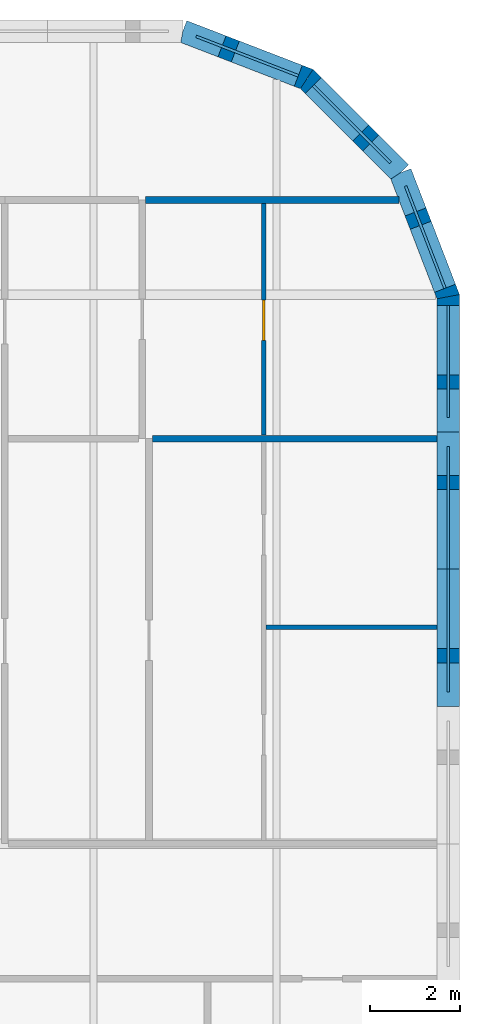
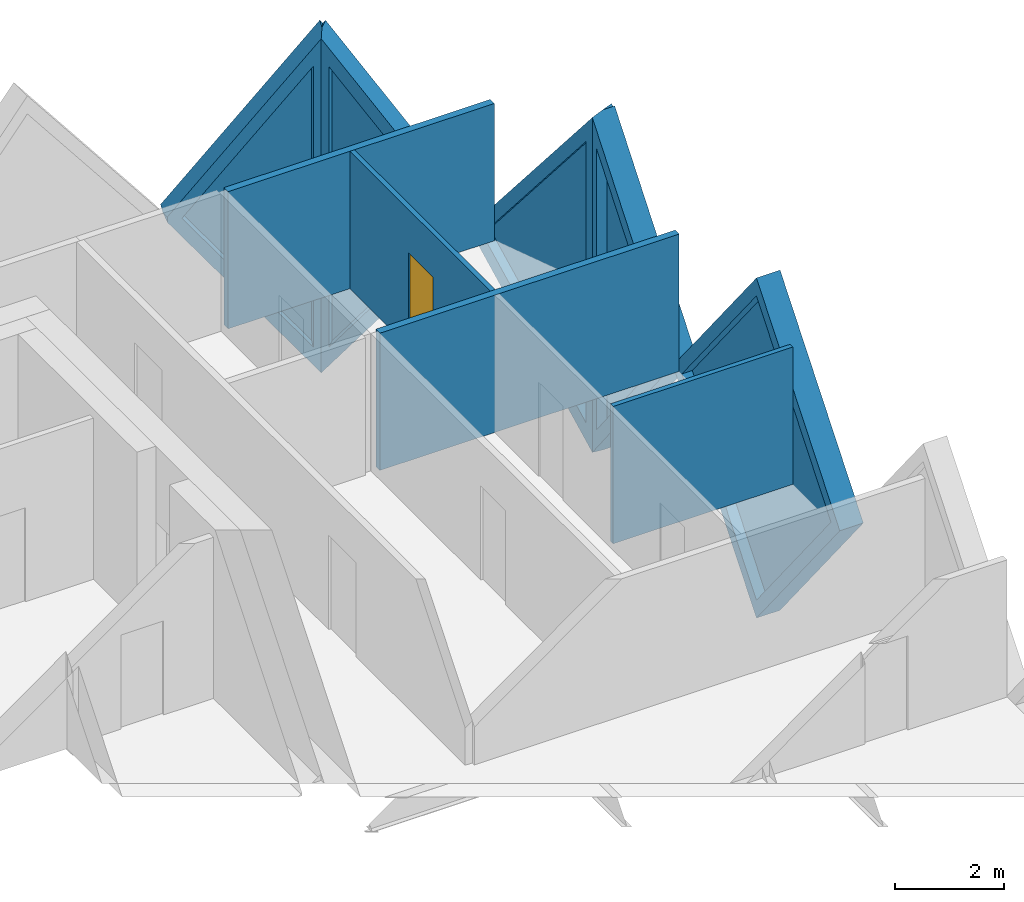
# One storey, part 16 of 19: 9 walls, 5 plates, 1 door, 6 openings.
"""IFC4 building model written with IfcOpenShell, lengths in metres."""

from ifc_helpers import new_model, si_unit, direction, frame, frame_2d, origin, place, context, subcontext, project, spatial, polyline, rectangle, outline, extrude, faceted_brep, source, transform, mapped, material, layer, layer_set, type_object, element, fill, save


model = new_model("IFC4")

# Units and contexts
model_context = context("Model", 3, precision=1e-05, world=origin(), true_north=direction((0.0, 1.0)))
body_context = subcontext(model_context, "Body", "Model", "MODEL_VIEW")
ifc_project = project(units=[si_unit("LENGTHUNIT", "METRE"), si_unit("AREAUNIT", "SQUARE_METRE"), si_unit("VOLUMEUNIT", "CUBIC_METRE"), si_unit("PLANEANGLEUNIT", "RADIAN"), si_unit("MASSUNIT", "GRAM", prefix="KILO")], contexts=[model_context])

# Site, building, storey
site_placement = place(None, origin())
site = spatial("IfcSite", under=ifc_project, at=site_placement, CompositionType="ELEMENT")
building_placement = place(site_placement, origin())
building = spatial("IfcBuilding", under=site, at=building_placement, Name="Tessera Gate Towers", CompositionType="ELEMENT")
storey_placement = place(building_placement, frame((0.0, 0.0, 87.60009765625)))
storey = spatial("IfcBuildingStorey", under=building, at=storey_placement, Name="L21", CompositionType="ELEMENT", Elevation=87.60009765625)

# Wall
ifc_material_1 = material(Name="Gypsum board on steel studs", Category="steel")
ifc_layer_1 = layer(ifc_material_1, 0.10009765625)
ifc_layer_set_1 = layer_set([ifc_layer_1], Name="PARTITION 100")
wall_type_1 = type_object("IfcWallType", Name="PARTITION 100", PredefinedType="PARTITIONING", material=ifc_layer_set_1)
wall_1_placement = place(storey_placement, frame((129.90087890625, 41.4150390625, 0.0), z_axis=(0.0, 0.0, 1.0), x_axis=(1.0, 0.0, 0.0)))
element("IfcWall", 1, at=wall_1_placement, inside=storey, type_object=wall_type_1, Name="T2-L21-PW-030", PredefinedType="PARTITIONING", context=body_context, shape_type="SweptSolid", body=[
    extrude(rectangle(XDim=3.799072265625, YDim=0.10009765625, at=frame_2d((1.8994140625, 0.0))), origin(), (0.0, 0.0, 1.0), 3.06689453125),
])

# Wall, opening, door
wall_2_placement = place(storey_placement, frame((129.85009765625, 50.823974609375, 0.0), z_axis=(0.0, 0.0, 1.0), x_axis=(0.0, -1.0, 0.0)))
wall_2 = element("IfcWall", 2, at=wall_2_placement, inside=storey, type_object=wall_type_1, Name="T2-L21-PW-037", PredefinedType="PARTITIONING", context=body_context, shape_type="SweptSolid", body=[
    extrude(rectangle(XDim=5.14794921875, YDim=0.10009765625, at=frame_2d((2.573974609375, 0.0))), origin(), (0.0, 0.0, 1.0), 3.06689453125),
])
shared_shape_1 = source(origin(), body_context, "Body", "SweptSolid", [
    extrude(rectangle(XDim=0.89990234375, YDim=2.10009765625, at=frame_2d((0.449951171875, 1.050048828125))), frame((0.0, 0.06005859375, 0.0), z_axis=(0.0, -1.0, 0.0), x_axis=(1.0, 0.0, 0.0)), (0.0, 0.0, 1.0), 0.1201171875),
])
opening_1_placement = place(wall_2_placement, frame((2.14794921875, 0.0, 0.0)))
opening_1 = element("IfcOpeningElement", 3, at=opening_1_placement, cuts=wall_2, Name="Opening D190-B09-07", PredefinedType="OPENING", context=body_context, shape_type="MappedRepresentation", body=[
    mapped(shared_shape_1, transform((0.0, 0.0, 0.0), scale=1.0)),
])
ifc_material_2 = material(Name="Timber door leaf in steel frame", Category="steel")
door_type = type_object("IfcDoorType", Name="INTERNAL DOOR 900 NOT RATED", OperationType="NOTDEFINED", PredefinedType="DOOR", material=ifc_material_2)
shared_shape_2 = source(origin(), body_context, "Body", "SweptSolid", [
    extrude(rectangle(XDim=0.89990234375, YDim=2.10009765625, at=frame_2d((0.449951171875, 1.050048828125))), frame((0.0, 0.02490234375, 0.0), z_axis=(0.0, -1.0, 0.0), x_axis=(1.0, 0.0, 0.0)), (0.0, 0.0, 1.0), 0.050048828125),
])
door_placement = place(opening_1_placement, origin())
door = element("IfcDoor", 4, at=door_placement, inside=storey, type_object=door_type, Name="T2-L21-PD-009", OperationType="SINGLE_SWING_RIGHT", OverallHeight=2.10009765625, OverallWidth=0.89990234375, PredefinedType="DOOR", context=body_context, shape_type="MappedRepresentation", body=[
    mapped(shared_shape_2, transform((0.0, 0.0, 0.0), scale=1.0)),
])
fill(opening_1, door)

# Walls
ifc_material_3 = material(Name="Gypsum board on steel studs, mineral wool", Category="steel")
ifc_layer_2 = layer(ifc_material_3, 0.14990234375)
ifc_layer_set_2 = layer_set([ifc_layer_2], Name="TENANCY WALL 150")
wall_type_2 = type_object("IfcWallType", Name="TENANCY WALL 150", PredefinedType="PARTITIONING", material=ifc_layer_set_2)
wall_3_placement = place(storey_placement, frame((127.3759765625, 45.60009765625, 0.0), z_axis=(0.0, 0.0, 1.0), x_axis=(1.0, 0.0, 0.0)))
element("IfcWall", 5, at=wall_3_placement, inside=storey, type_object=wall_type_2, Name="T2-L21-PW-035", PredefinedType="PARTITIONING", context=body_context, shape_type="SweptSolid", body=[
    extrude(rectangle(XDim=6.323974609375, YDim=0.14990234375, at=frame_2d((3.162109375, 0.0))), origin(), (0.0, 0.0, 1.0), 3.06689453125),
])
wall_4_placement = place(storey_placement, frame((127.22607421875, 50.89990234375, 0.0), z_axis=(0.0, 0.0, 1.0), x_axis=(1.0, 0.0, 0.0)))
element("IfcWall", 6, at=wall_4_placement, inside=storey, type_object=wall_type_2, Name="T2-L21-PW-042", PredefinedType="PARTITIONING", context=body_context, shape_type="SweptSolid", body=[
    extrude(rectangle(XDim=5.6279296875, YDim=0.14990234375, at=frame_2d((2.81396484375, 0.0))), origin(), (0.0, 0.0, 1.0), 3.06689453125),
])

# Wall, opening, plate
ifc_material_4 = material(Name="Precast concrete C60/75 white", Category="concrete")
ifc_layer_3 = layer(ifc_material_4, 0.5)
ifc_layer_set_3 = layer_set([ifc_layer_3], Name="TS1 tessera")
wall_type_3 = type_object("IfcWallType", Name="TS1 tessera", PredefinedType="SOLIDWALL", material=ifc_layer_set_3)
shared_shape_3 = source(origin(), body_context, "Body", "SweptSolid", [
    extrude(outline(polyline([(3.050048828125, 0.0), (6.10009765625, 3.800048828125), (3.050048828125, 7.599853515625), (0.0, 3.800048828125), (3.050048828125, 0.0)])), frame((0.0, 0.25, 0.0), z_axis=(0.0, -1.0, 0.0), x_axis=(1.0, 0.0, 0.0)), (0.0, 0.0, 1.0), 0.5),
])
wall_5_placement = place(storey_placement, frame((133.949951171875, 39.64990234375, -3.800048828125), z_axis=(0.0, 0.0, 1.0), x_axis=(0.0, 1.0, 0.0)))
wall_5 = element("IfcWall", 7, at=wall_5_placement, inside=storey, type_object=wall_type_3, Name="Precast tessera T2 TS1-0260", PredefinedType="SOLIDWALL", context=body_context, shape_type="MappedRepresentation", body=[
    mapped(shared_shape_3, transform((0.0, 0.0, 0.0), scale=1.0)),
])
shared_shape_4 = source(origin(), body_context, "Body", "SweptSolid", [
    extrude(outline(polyline([(3.050048828125, 0.3994140625), (5.779541015625, 3.800048828125), (3.050048828125, 7.200439453125), (0.320556640625, 3.800048828125), (3.050048828125, 0.3994140625)])), frame((0.0, 0.260009765625, 0.0), z_axis=(0.0, -1.0, 0.0), x_axis=(1.0, 0.0, 0.0)), (0.0, 0.0, 1.0), 0.52001953125),
])
opening_2_placement = place(wall_5_placement, origin())
opening_2 = element("IfcOpeningElement", 8, at=opening_2_placement, cuts=wall_5, Name="Opening T2-PL2-0488", PredefinedType="OPENING", context=body_context, shape_type="MappedRepresentation", body=[
    mapped(shared_shape_4, transform((0.0, 0.0, 0.0), scale=1.0)),
])
ifc_material_5 = material(Name="Low-e laminated glass", Category="glass")
ifc_layer_4 = layer(ifc_material_5, 0.06005859375)
ifc_layer_set_4 = layer_set([ifc_layer_4], Name="PL2 rhombic pane")
plate_type = type_object("IfcPlateType", Name="PL2 rhombic pane", PredefinedType="SHEET", material=ifc_layer_set_4)
shared_shape_5 = source(origin(), body_context, "Body", "SweptSolid", [
    extrude(outline(polyline([(3.050048828125, 0.3994140625), (5.779541015625, 3.800048828125), (3.050048828125, 7.200439453125), (0.320556640625, 3.800048828125), (3.050048828125, 0.3994140625)])), frame((0.0, 0.030029296875, 0.0), z_axis=(0.0, -1.0, 0.0), x_axis=(1.0, 0.0, 0.0)), (0.0, 0.0, 1.0), 0.06005859375),
])
plate_1_placement = place(opening_2_placement, origin())
plate_1 = element("IfcPlate", 9, at=plate_1_placement, inside=storey, type_object=plate_type, Name="Glass pane T2 PL2-0488", PredefinedType="SHEET", context=body_context, shape_type="MappedRepresentation", body=[
    mapped(shared_shape_5, transform((0.0, 0.0, 0.0), scale=1.0)),
])
fill(opening_2, plate_1)

ifc_material_6 = material(Name="Precast concrete C60/75 white", Category="concrete")
ifc_layer_5 = layer(ifc_material_6, 0.5)
ifc_layer_set_5 = layer_set([ifc_layer_5], Name="TS3 corner tessera")
wall_type_4 = type_object("IfcWallType", Name="TS3 corner tessera", PredefinedType="SOLIDWALL", material=ifc_layer_set_5)
shared_shape_6 = source(origin(), body_context, "Body", "Brep", [
    faceted_brep([(3.00341796875, -0.25, 0.0), (3.050048828125, -0.25, 0.06005859375), (3.050048828125, -0.25, 7.539794921875), (3.00341796875, -0.25, 7.599853515625), (0.0, -0.25, 3.800048828125), (0.0, 0.25, 3.800048828125), (2.956787109375, 0.25, 7.541015625), (2.956787109375, 0.25, 0.058837890625), (3.00341796875, 0.000244140625, 0.0), (3.00341796875, 0.000244140625, 7.599853515625)], [[[0, 1, 2, 3, 4]], [[5, 6, 7]], [[1, 0, 8]], [[9, 3, 2]], [[6, 5, 4, 3, 9]], [[5, 7, 8, 0, 4]], [[1, 8, 7, 6, 9, 2]]]),
])
wall_6_placement = place(storey_placement, frame((133.949951171875, 45.75, -3.800048828125), z_axis=(0.0, 0.0, 1.0), x_axis=(0.0, 1.0, 0.0)))
wall_6 = element("IfcWall", 10, at=wall_6_placement, inside=storey, type_object=wall_type_4, Name="Precast corner tessera T2 TS3-0309", PredefinedType="SOLIDWALL", context=body_context, shape_type="MappedRepresentation", body=[
    mapped(shared_shape_6, transform((0.0, 0.0, 0.0), scale=1.0)),
])
shared_shape_7 = source(origin(), body_context, "Body", "SweptSolid", [
    extrude(outline(polyline([(2.803466796875, 6.94384765625), (0.318603515625, 3.800048828125), (2.803466796875, 0.65625), (2.803466796875, 6.94384765625)])), frame((0.0, 0.260009765625, 0.0), z_axis=(0.0, -1.0, 0.0), x_axis=(1.0, 0.0, 0.0)), (0.0, 0.0, 1.0), 0.52001953125),
])
opening_3_placement = place(wall_6_placement, origin())
opening_3 = element("IfcOpeningElement", 11, at=opening_3_placement, cuts=wall_6, Name="Opening T2-PL2-0489", PredefinedType="OPENING", context=body_context, shape_type="MappedRepresentation", body=[
    mapped(shared_shape_7, transform((0.0, 0.0, 0.0), scale=1.0)),
])
shared_shape_8 = source(origin(), body_context, "Body", "SweptSolid", [
    extrude(outline(polyline([(2.803466796875, 6.94384765625), (0.318603515625, 3.800048828125), (2.803466796875, 0.65625), (2.803466796875, 6.94384765625)])), frame((0.0, 0.030029296875, 0.0), z_axis=(0.0, -1.0, 0.0), x_axis=(1.0, 0.0, 0.0)), (0.0, 0.0, 1.0), 0.06005859375),
])
plate_2_placement = place(opening_3_placement, origin())
plate_2 = element("IfcPlate", 12, at=plate_2_placement, inside=storey, type_object=plate_type, Name="Glass pane T2 PL2-0489", PredefinedType="SHEET", context=body_context, shape_type="MappedRepresentation", body=[
    mapped(shared_shape_8, transform((0.0, 0.0, 0.0), scale=1.0)),
])
fill(opening_3, plate_2)

shared_shape_9 = source(origin(), body_context, "Body", "Brep", [
    faceted_brep([(0.046630859375, -0.25, 0.0), (2.9970703125, -0.25, 3.800048828125), (0.046630859375, -0.25, 7.599853515625), (0.0, -0.25, 7.541015625), (0.0, -0.25, 0.058837890625), (0.09326171875, 0.25, 7.539794921875), (2.9443359375, 0.25, 3.8681640625), (2.9443359375, 0.25, 3.73193359375), (0.09326171875, 0.25, 0.06005859375), (2.9970703125, 0.00048828125, 3.800048828125), (0.046630859375, 0.0, 0.0), (0.046630859375, 0.0, 7.599853515625)], [[[0, 1, 2, 3, 4]], [[5, 6, 7, 8]], [[8, 7, 9, 1, 0, 10]], [[6, 5, 11, 2, 1, 9]], [[3, 2, 11]], [[10, 0, 4]], [[8, 10, 4, 3, 11, 5]], [[7, 6, 9]]]),
])
wall_7_placement = place(storey_placement, frame((133.966796875, 48.7099609375, -3.800048828125), z_axis=(0.0, 0.0, 1.0), x_axis=(-0.359901446078, 0.932990326376, 0.0)))
wall_7 = element("IfcWall", 13, at=wall_7_placement, inside=storey, type_object=wall_type_4, Name="Precast corner tessera T2 TS3-0310", PredefinedType="SOLIDWALL", context=body_context, shape_type="MappedRepresentation", body=[
    mapped(shared_shape_9, transform((0.0, 0.0, 0.0), scale=1.0)),
])
shared_shape_10 = source(origin(), body_context, "Body", "SweptSolid", [
    extrude(outline(polyline([(0.24658203125, 0.665283203125), (2.6806640625, 3.800048828125), (0.24658203125, 6.934814453125), (0.24658203125, 0.665283203125)])), frame((0.0, 0.260009765625, 0.0), z_axis=(0.0, -1.0, 0.0), x_axis=(1.0, 0.0, 0.0)), (0.0, 0.0, 1.0), 0.52001953125),
])
opening_4_placement = place(wall_7_placement, origin())
opening_4 = element("IfcOpeningElement", 14, at=opening_4_placement, cuts=wall_7, Name="Opening T2-PL2-0490", PredefinedType="OPENING", context=body_context, shape_type="MappedRepresentation", body=[
    mapped(shared_shape_10, transform((0.0, 0.0, 0.0), scale=1.0)),
])
shared_shape_11 = source(origin(), body_context, "Body", "SweptSolid", [
    extrude(outline(polyline([(0.24658203125, 0.665283203125), (2.6806640625, 3.800048828125), (0.24658203125, 6.934814453125), (0.24658203125, 0.665283203125)])), frame((0.0, 0.030029296875, 0.0), z_axis=(0.0, -1.0, 0.0), x_axis=(1.0, 0.0, 0.0)), (0.0, 0.0, 1.0), 0.06005859375),
])
plate_3_placement = place(opening_4_placement, origin())
plate_3 = element("IfcPlate", 15, at=plate_3_placement, inside=storey, type_object=plate_type, Name="Glass pane T2 PL2-0490", PredefinedType="SHEET", context=body_context, shape_type="MappedRepresentation", body=[
    mapped(shared_shape_11, transform((0.0, 0.0, 0.0), scale=1.0)),
])
fill(opening_4, plate_3)

shared_shape_12 = source(origin(), body_context, "Body", "Brep", [
    faceted_brep([(0.052978515625, -0.25, 0.0), (3.00341796875, -0.25, 3.800048828125), (0.052978515625, -0.25, 7.599853515625), (0.0, -0.25, 7.531494140625), (0.0, -0.25, 0.068359375), (0.10595703125, 0.25, 7.53173828125), (2.95703125, 0.25, 3.85986328125), (2.95703125, 0.25, 3.740234375), (0.10595703125, 0.25, 0.068115234375), (3.00341796875, 0.00048828125, 3.800048828125), (0.052978515625, 0.0, 0.0), (0.052978515625, 0.0, 7.599853515625)], [[[0, 1, 2, 3, 4]], [[5, 6, 7, 8]], [[8, 7, 9, 1, 0, 10]], [[6, 5, 11, 2, 1, 9]], [[3, 2, 11]], [[10, 0, 4]], [[8, 10, 4, 3, 11, 5]], [[7, 6, 9]]]),
])
wall_8_placement = place(storey_placement, frame((130.855712890625, 53.569091796875, -3.800048828125), z_axis=(0.0, 0.0, 1.0), x_axis=(-0.933007896601, 0.359855894603, 0.0)))
wall_8 = element("IfcWall", 16, at=wall_8_placement, inside=storey, type_object=wall_type_4, Name="Precast corner tessera T2 TS3-0312", PredefinedType="SOLIDWALL", context=body_context, shape_type="MappedRepresentation", body=[
    mapped(shared_shape_12, transform((0.0, 0.0, 0.0), scale=1.0)),
])
shared_shape_13 = source(origin(), body_context, "Body", "SweptSolid", [
    extrude(outline(polyline([(0.2529296875, 0.665283203125), (2.68701171875, 3.800048828125), (0.2529296875, 6.934814453125), (0.2529296875, 0.665283203125)])), frame((0.0, 0.260009765625, 0.0), z_axis=(0.0, -1.0, 0.0), x_axis=(1.0, 0.0, 0.0)), (0.0, 0.0, 1.0), 0.52001953125),
])
opening_5_placement = place(wall_8_placement, origin())
opening_5 = element("IfcOpeningElement", 17, at=opening_5_placement, cuts=wall_8, Name="Opening T2-PL2-0492", PredefinedType="OPENING", context=body_context, shape_type="MappedRepresentation", body=[
    mapped(shared_shape_13, transform((0.0, 0.0, 0.0), scale=1.0)),
])
shared_shape_14 = source(origin(), body_context, "Body", "SweptSolid", [
    extrude(outline(polyline([(0.2529296875, 0.665283203125), (2.68701171875, 3.800048828125), (0.2529296875, 6.934814453125), (0.2529296875, 0.665283203125)])), frame((0.0, 0.030029296875, 0.0), z_axis=(0.0, -1.0, 0.0), x_axis=(1.0, 0.0, 0.0)), (0.0, 0.0, 1.0), 0.06005859375),
])
plate_4_placement = place(opening_5_placement, origin())
plate_4 = element("IfcPlate", 18, at=plate_4_placement, inside=storey, type_object=plate_type, Name="Glass pane T2 PL2-0492", PredefinedType="SHEET", context=body_context, shape_type="MappedRepresentation", body=[
    mapped(shared_shape_14, transform((0.0, 0.0, 0.0), scale=1.0)),
])
fill(opening_5, plate_4)

shared_shape_15 = source(origin(), body_context, "Body", "Brep", [
    faceted_brep([(2.944091796875, -0.25, 0.0), (2.9970703125, -0.25, 0.068115234375), (2.9970703125, -0.25, 7.53173828125), (2.944091796875, -0.25, 7.599853515625), (0.0, -0.25, 3.800048828125), (0.052978515625, 0.25, 3.868408203125), (2.89111328125, 0.25, 7.53173828125), (2.89111328125, 0.25, 0.068115234375), (0.052978515625, 0.25, 3.731689453125), (2.944091796875, 0.000244140625, 0.0), (2.944091796875, 0.000244140625, 7.599853515625), (0.0, 0.0, 3.800048828125)], [[[0, 1, 2, 3, 4]], [[5, 6, 7, 8]], [[1, 0, 9]], [[10, 3, 2]], [[6, 5, 11, 4, 3, 10]], [[8, 7, 9, 0, 4, 11]], [[8, 11, 5]], [[1, 9, 7, 6, 10, 2]]]),
])
wall_9_placement = place(storey_placement, frame((132.88818359375, 51.50634765625, -3.800048828125), z_axis=(0.0, 0.0, 1.0), x_axis=(-0.707147509625, 0.707066050402, 0.0)))
wall_9 = element("IfcWall", 19, at=wall_9_placement, inside=storey, type_object=wall_type_4, Name="Precast corner tessera T2 TS3-0311", PredefinedType="SOLIDWALL", context=body_context, shape_type="MappedRepresentation", body=[
    mapped(shared_shape_15, transform((0.0, 0.0, 0.0), scale=1.0)),
])
shared_shape_16 = source(origin(), body_context, "Body", "SweptSolid", [
    extrude(outline(polyline([(2.744140625, 6.93359375), (0.316162109375, 3.800048828125), (2.744140625, 0.666259765625), (2.744140625, 6.93359375)])), frame((0.0, 0.260009765625, 0.0), z_axis=(0.0, -1.0, 0.0), x_axis=(1.0, 0.0, 0.0)), (0.0, 0.0, 1.0), 0.52001953125),
])
opening_6_placement = place(wall_9_placement, origin())
opening_6 = element("IfcOpeningElement", 20, at=opening_6_placement, cuts=wall_9, Name="Opening T2-PL2-0491", PredefinedType="OPENING", context=body_context, shape_type="MappedRepresentation", body=[
    mapped(shared_shape_16, transform((0.0, 0.0, 0.0), scale=1.0)),
])
shared_shape_17 = source(origin(), body_context, "Body", "SweptSolid", [
    extrude(outline(polyline([(2.744140625, 6.93359375), (0.316162109375, 3.800048828125), (2.744140625, 0.666259765625), (2.744140625, 6.93359375)])), frame((0.0, 0.030029296875, 0.0), z_axis=(0.0, -1.0, 0.0), x_axis=(1.0, 0.0, 0.0)), (0.0, 0.0, 1.0), 0.06005859375),
])
plate_5_placement = place(opening_6_placement, origin())
plate_5 = element("IfcPlate", 21, at=plate_5_placement, inside=storey, type_object=plate_type, Name="Glass pane T2 PL2-0491", PredefinedType="SHEET", context=body_context, shape_type="MappedRepresentation", body=[
    mapped(shared_shape_17, transform((0.0, 0.0, 0.0), scale=1.0)),
])
fill(opening_6, plate_5)

save(model, "model.ifc")
